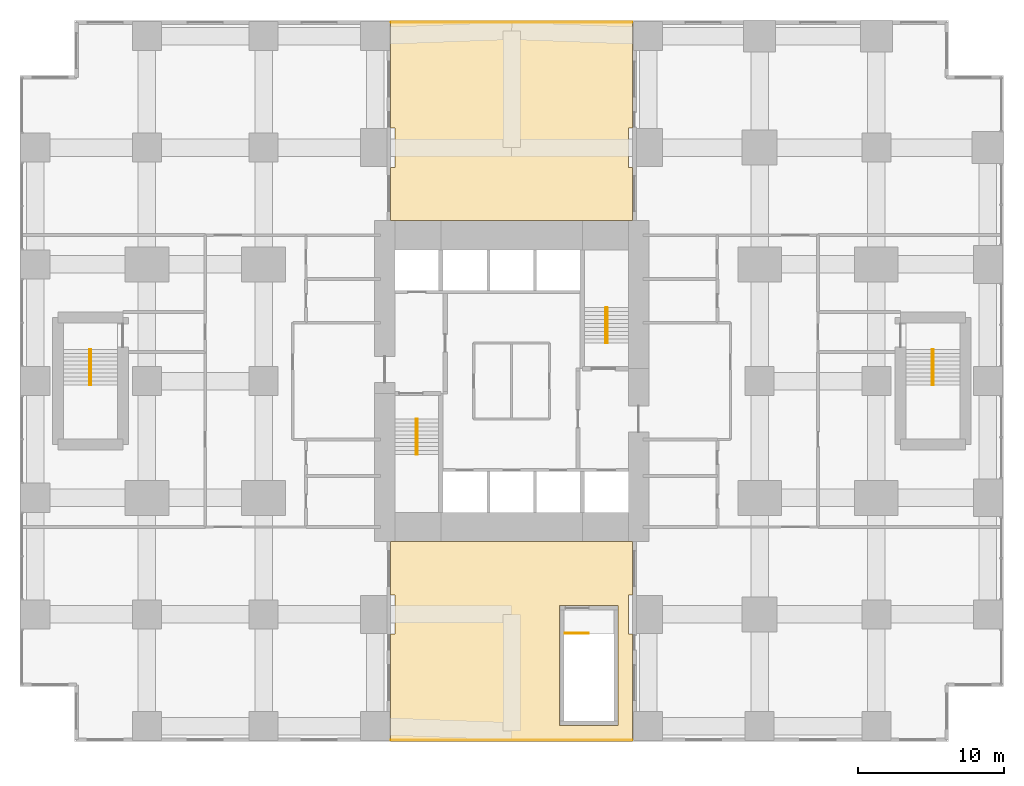
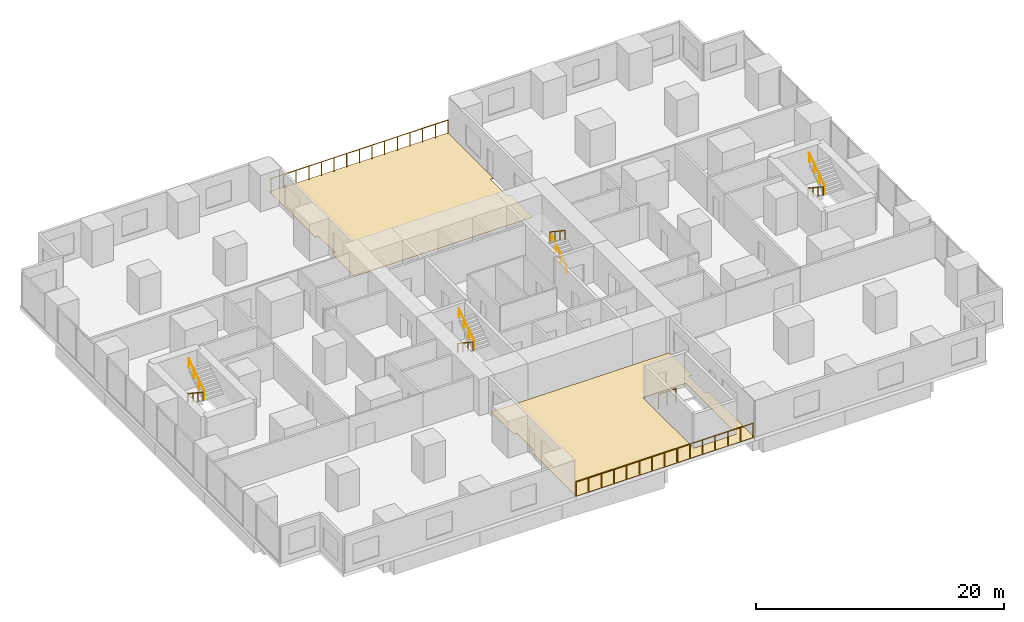
# One storey, part 15 of 15: 11 railings, 4 coverings.
"""IFC4 building model written with IfcOpenShell, lengths in metres."""

from ifc_helpers import new_model, si_unit, direction, frame, origin, origin_2d, place, context, subcontext, project, spatial, polyline, circle, outline, extrude, material, layer, layer_set, type_object, element, save


model = new_model("IFC4")

# Units and contexts
model_context = context("Model", 3, precision=1e-05, world=origin(), true_north=direction((0.0, 1.0)))
body_context = subcontext(model_context, "Body", "Model", "MODEL_VIEW")
ifc_project = project(units=[si_unit("LENGTHUNIT", "METRE"), si_unit("AREAUNIT", "SQUARE_METRE"), si_unit("VOLUMEUNIT", "CUBIC_METRE"), si_unit("PLANEANGLEUNIT", "RADIAN"), si_unit("MASSUNIT", "GRAM", prefix="KILO")], contexts=[model_context])

# Site, building, storey
site_placement = place(None, origin())
site = spatial("IfcSite", under=ifc_project, at=site_placement, CompositionType="ELEMENT")
building_placement = place(site_placement, origin())
building = spatial("IfcBuilding", under=site, at=building_placement, Name="Cleftline Residences", CompositionType="ELEMENT")
storey_placement = place(building_placement, frame((0.0, 0.0, 26.0)))
storey = spatial("IfcBuildingStorey", under=building, at=storey_placement, Name="L05", CompositionType="ELEMENT", Elevation=26.0)

# Railings
ifc_material_1 = material(Name="Stainless steel", Category="steel")
railing_type_1 = type_object("IfcRailingType", Name="HANDRAIL 900", PredefinedType="HANDRAIL", material=ifc_material_1)
railing_1_placement = place(storey_placement, frame((26.449951171875, 21.39990234375, 0.179931640625)))
element("IfcRailing", 1, at=railing_1_placement, inside=storey, type_object=railing_type_1, Name="Stair handrail", PredefinedType="HANDRAIL", context=body_context, shape_type="SweptSolid", body=[
    extrude(circle(Radius=0.02392578125, at=origin_2d()), frame((0.0, 0.0, 0.8759765625), z_axis=(0.0, -0.832024571796, 0.554738778101), x_axis=(1.0, 0.0, 0.0)), (0.0, 0.0, 1.0), 2.92041015625),
    extrude(circle(Radius=0.02099609375, at=origin_2d()), origin(), (0.0, 0.0, 1.0), 0.851806640625),
    extrude(circle(Radius=0.02099609375, at=origin_2d()), frame((0.0, -0.81005859375, 0.5400390625)), (0.0, 0.0, 1.0), 0.851806640625),
    extrude(circle(Radius=0.02099609375, at=origin_2d()), frame((0.0, -1.619873046875, 1.080078125)), (0.0, 0.0, 1.0), 0.851806640625),
    extrude(circle(Radius=0.02099609375, at=origin_2d()), frame((0.0, -2.429931640625, 1.6201171875)), (0.0, 0.0, 1.0), 0.851806640625),
])
for number, where, name in (
    (2, (26.550048828125, 18.969970703125, 1.97998046875), "Stair handrail"),
    (3, (39.550048828125, 26.60009765625, 0.179931640625), "Stair handrail"),
):
    element("IfcRailing", number, at=place(storey_placement, frame(where)), inside=storey, type_object=railing_type_1, Name=name, PredefinedType="HANDRAIL", context=body_context, shape_type="SweptSolid", body=[
        extrude(circle(Radius=0.02392578125, at=origin_2d()), frame((0.0, 0.0, 0.8759765625), z_axis=(0.0, 0.832024571796, 0.554738778101), x_axis=(-1.0, 0.0, 0.0)), (0.0, 0.0, 1.0), 2.92041015625),
        extrude(circle(Radius=0.02099609375, at=origin_2d()), origin(), (0.0, 0.0, 1.0), 0.851806640625),
        extrude(circle(Radius=0.02099609375, at=origin_2d()), frame((0.0, 0.81005859375, 0.5400390625)), (0.0, 0.0, 1.0), 0.851806640625),
        extrude(circle(Radius=0.02099609375, at=origin_2d()), frame((0.0, 1.619873046875, 1.080078125)), (0.0, 0.0, 1.0), 0.851806640625),
        extrude(circle(Radius=0.02099609375, at=origin_2d()), frame((0.0, 2.429931640625, 1.6201171875)), (0.0, 0.0, 1.0), 0.851806640625),
    ])
for number, where, name in (
    (4, (39.449951171875, 29.030029296875, 1.97998046875), "Stair handrail"),
    (5, (61.824951171875, 26.175048828125, 0.179931640625), "Stair handrail"),
):
    element("IfcRailing", number, at=place(storey_placement, frame(where)), inside=storey, type_object=railing_type_1, Name=name, PredefinedType="HANDRAIL", context=body_context, shape_type="SweptSolid", body=[
        extrude(circle(Radius=0.02392578125, at=origin_2d()), frame((0.0, 0.0, 0.8759765625), z_axis=(0.0, -0.832024571796, 0.554738778101), x_axis=(1.0, 0.0, 0.0)), (0.0, 0.0, 1.0), 2.92041015625),
        extrude(circle(Radius=0.02099609375, at=origin_2d()), origin(), (0.0, 0.0, 1.0), 0.851806640625),
        extrude(circle(Radius=0.02099609375, at=origin_2d()), frame((0.0, -0.81005859375, 0.5400390625)), (0.0, 0.0, 1.0), 0.851806640625),
        extrude(circle(Radius=0.02099609375, at=origin_2d()), frame((0.0, -1.619873046875, 1.080078125)), (0.0, 0.0, 1.0), 0.851806640625),
        extrude(circle(Radius=0.02099609375, at=origin_2d()), frame((0.0, -2.429931640625, 1.6201171875)), (0.0, 0.0, 1.0), 0.851806640625),
    ])
railing_2_placement = place(storey_placement, frame((61.925048828125, 23.7451171875, 1.97998046875)))
element("IfcRailing", 6, at=railing_2_placement, inside=storey, type_object=railing_type_1, Name="Stair handrail", PredefinedType="HANDRAIL", context=body_context, shape_type="SweptSolid", body=[
    extrude(circle(Radius=0.02392578125, at=origin_2d()), frame((0.0, 0.0, 0.8759765625), z_axis=(0.0, 0.832024571796, 0.554738778101), x_axis=(-1.0, 0.0, 0.0)), (0.0, 0.0, 1.0), 2.92041015625),
    extrude(circle(Radius=0.02099609375, at=origin_2d()), origin(), (0.0, 0.0, 1.0), 0.851806640625),
    extrude(circle(Radius=0.02099609375, at=origin_2d()), frame((0.0, 0.81005859375, 0.5400390625)), (0.0, 0.0, 1.0), 0.851806640625),
    extrude(circle(Radius=0.02099609375, at=origin_2d()), frame((0.0, 1.619873046875, 1.080078125)), (0.0, 0.0, 1.0), 0.851806640625),
    extrude(circle(Radius=0.02099609375, at=origin_2d()), frame((0.0, 2.429931640625, 1.6201171875)), (0.0, 0.0, 1.0), 0.851806640625),
])
railing_3_placement = place(storey_placement, frame((4.074951171875, 26.175048828125, 0.179931640625)))
element("IfcRailing", 7, at=railing_3_placement, inside=storey, type_object=railing_type_1, Name="Stair handrail", PredefinedType="HANDRAIL", context=body_context, shape_type="SweptSolid", body=[
    extrude(circle(Radius=0.02392578125, at=origin_2d()), frame((0.0, 0.0, 0.8759765625), z_axis=(0.0, -0.832024571796, 0.554738778101), x_axis=(1.0, 0.0, 0.0)), (0.0, 0.0, 1.0), 2.92041015625),
    extrude(circle(Radius=0.02099609375, at=origin_2d()), origin(), (0.0, 0.0, 1.0), 0.851806640625),
    extrude(circle(Radius=0.02099609375, at=origin_2d()), frame((0.0, -0.81005859375, 0.5400390625)), (0.0, 0.0, 1.0), 0.851806640625),
    extrude(circle(Radius=0.02099609375, at=origin_2d()), frame((0.0, -1.619873046875, 1.080078125)), (0.0, 0.0, 1.0), 0.851806640625),
    extrude(circle(Radius=0.02099609375, at=origin_2d()), frame((0.0, -2.429931640625, 1.6201171875)), (0.0, 0.0, 1.0), 0.851806640625),
])
railing_4_placement = place(storey_placement, frame((4.175048828125, 23.7451171875, 1.97998046875)))
element("IfcRailing", 8, at=railing_4_placement, inside=storey, type_object=railing_type_1, Name="Stair handrail", PredefinedType="HANDRAIL", context=body_context, shape_type="SweptSolid", body=[
    extrude(circle(Radius=0.02392578125, at=origin_2d()), frame((0.0, 0.0, 0.8759765625), z_axis=(0.0, 0.832024571796, 0.554738778101), x_axis=(-1.0, 0.0, 0.0)), (0.0, 0.0, 1.0), 2.92041015625),
    extrude(circle(Radius=0.02099609375, at=origin_2d()), origin(), (0.0, 0.0, 1.0), 0.851806640625),
    extrude(circle(Radius=0.02099609375, at=origin_2d()), frame((0.0, 0.81005859375, 0.5400390625)), (0.0, 0.0, 1.0), 0.851806640625),
    extrude(circle(Radius=0.02099609375, at=origin_2d()), frame((0.0, 1.619873046875, 1.080078125)), (0.0, 0.0, 1.0), 0.851806640625),
    extrude(circle(Radius=0.02099609375, at=origin_2d()), frame((0.0, 2.429931640625, 1.6201171875)), (0.0, 0.0, 1.0), 0.851806640625),
])
ifc_material_2 = material(Name="Stainless steel and laminated glass", Category="steel")
railing_type_2 = type_object("IfcRailingType", Name="TERRACE GUARD 1400", PredefinedType="GUARDRAIL", material=ifc_material_2)
railing_5_placement = place(storey_placement, frame((41.25, -0.60009765625, 0.0)))
element("IfcRailing", 9, at=railing_5_placement, inside=storey, type_object=railing_type_2, Name="Terrace guard", PredefinedType="GUARDRAIL", context=body_context, shape_type="SweptSolid", body=[
    extrude(circle(Radius=0.02392578125, at=origin_2d()), frame((0.0, 0.0, 1.3759765625), z_axis=(-1.0, 0.0, 0.0), x_axis=(0.0, -1.0, 0.0)), (0.0, 0.0, 1.0), 16.5),
    extrude(circle(Radius=0.02099609375, at=origin_2d()), origin(), (0.0, 0.0, 1.0), 1.351806640625),
    extrude(circle(Radius=0.02099609375, at=origin_2d()), frame((-1.178466796875, 0.0, 0.0)), (0.0, 0.0, 1.0), 1.351806640625),
    extrude(circle(Radius=0.02099609375, at=origin_2d()), frame((-2.357177734375, 0.0, 0.0)), (0.0, 0.0, 1.0), 1.351806640625),
    extrude(circle(Radius=0.02099609375, at=origin_2d()), frame((-3.53564453125, 0.0, 0.0)), (0.0, 0.0, 1.0), 1.351806640625),
    extrude(circle(Radius=0.02099609375, at=origin_2d()), frame((-4.71435546875, 0.0, 0.0)), (0.0, 0.0, 1.0), 1.351806640625),
    extrude(circle(Radius=0.02099609375, at=origin_2d()), frame((-5.892822265625, 0.0, 0.0)), (0.0, 0.0, 1.0), 1.351806640625),
    extrude(circle(Radius=0.02099609375, at=origin_2d()), frame((-7.071533203125, 0.0, 0.0)), (0.0, 0.0, 1.0), 1.351806640625),
    extrude(circle(Radius=0.02099609375, at=origin_2d()), frame((-8.25, 0.0, 0.0)), (0.0, 0.0, 1.0), 1.351806640625),
    extrude(circle(Radius=0.02099609375, at=origin_2d()), frame((-9.428466796875, 0.0, 0.0)), (0.0, 0.0, 1.0), 1.351806640625),
    extrude(circle(Radius=0.02099609375, at=origin_2d()), frame((-10.607177734375, 0.0, 0.0)), (0.0, 0.0, 1.0), 1.351806640625),
    extrude(circle(Radius=0.02099609375, at=origin_2d()), frame((-11.78564453125, 0.0, 0.0)), (0.0, 0.0, 1.0), 1.351806640625),
    extrude(circle(Radius=0.02099609375, at=origin_2d()), frame((-12.96435546875, 0.0, 0.0)), (0.0, 0.0, 1.0), 1.351806640625),
    extrude(circle(Radius=0.02099609375, at=origin_2d()), frame((-14.142822265625, 0.0, 0.0)), (0.0, 0.0, 1.0), 1.351806640625),
    extrude(circle(Radius=0.02099609375, at=origin_2d()), frame((-15.321533203125, 0.0, 0.0)), (0.0, 0.0, 1.0), 1.351806640625),
    extrude(circle(Radius=0.02099609375, at=origin_2d()), frame((-16.5, 0.0, 0.0)), (0.0, 0.0, 1.0), 1.351806640625),
])
railing_6_placement = place(storey_placement, frame((24.75, 48.60009765625, 0.0)))
element("IfcRailing", 10, at=railing_6_placement, inside=storey, type_object=railing_type_2, Name="Terrace guard", PredefinedType="GUARDRAIL", context=body_context, shape_type="SweptSolid", body=[
    extrude(circle(Radius=0.02392578125, at=origin_2d()), frame((0.0, 0.0, 1.3759765625), z_axis=(1.0, 0.0, 0.0), x_axis=(0.0, 1.0, 0.0)), (0.0, 0.0, 1.0), 16.5),
    extrude(circle(Radius=0.02099609375, at=origin_2d()), origin(), (0.0, 0.0, 1.0), 1.351806640625),
    extrude(circle(Radius=0.02099609375, at=origin_2d()), frame((1.178466796875, 0.0, 0.0)), (0.0, 0.0, 1.0), 1.351806640625),
    extrude(circle(Radius=0.02099609375, at=origin_2d()), frame((2.357177734375, 0.0, 0.0)), (0.0, 0.0, 1.0), 1.351806640625),
    extrude(circle(Radius=0.02099609375, at=origin_2d()), frame((3.53564453125, 0.0, 0.0)), (0.0, 0.0, 1.0), 1.351806640625),
    extrude(circle(Radius=0.02099609375, at=origin_2d()), frame((4.71435546875, 0.0, 0.0)), (0.0, 0.0, 1.0), 1.351806640625),
    extrude(circle(Radius=0.02099609375, at=origin_2d()), frame((5.892822265625, 0.0, 0.0)), (0.0, 0.0, 1.0), 1.351806640625),
    extrude(circle(Radius=0.02099609375, at=origin_2d()), frame((7.071533203125, 0.0, 0.0)), (0.0, 0.0, 1.0), 1.351806640625),
    extrude(circle(Radius=0.02099609375, at=origin_2d()), frame((8.25, 0.0, 0.0)), (0.0, 0.0, 1.0), 1.351806640625),
    extrude(circle(Radius=0.02099609375, at=origin_2d()), frame((9.428466796875, 0.0, 0.0)), (0.0, 0.0, 1.0), 1.351806640625),
    extrude(circle(Radius=0.02099609375, at=origin_2d()), frame((10.607177734375, 0.0, 0.0)), (0.0, 0.0, 1.0), 1.351806640625),
    extrude(circle(Radius=0.02099609375, at=origin_2d()), frame((11.78564453125, 0.0, 0.0)), (0.0, 0.0, 1.0), 1.351806640625),
    extrude(circle(Radius=0.02099609375, at=origin_2d()), frame((12.96435546875, 0.0, 0.0)), (0.0, 0.0, 1.0), 1.351806640625),
    extrude(circle(Radius=0.02099609375, at=origin_2d()), frame((14.142822265625, 0.0, 0.0)), (0.0, 0.0, 1.0), 1.351806640625),
    extrude(circle(Radius=0.02099609375, at=origin_2d()), frame((15.321533203125, 0.0, 0.0)), (0.0, 0.0, 1.0), 1.351806640625),
    extrude(circle(Radius=0.02099609375, at=origin_2d()), frame((16.5, 0.0, 0.0)), (0.0, 0.0, 1.0), 1.351806640625),
])
railing_7_placement = place(storey_placement, frame((36.64990234375, 6.719970703125, 0.0)))
element("IfcRailing", 11, at=railing_7_placement, inside=storey, type_object=railing_type_2, Name="Stair well guard", PredefinedType="GUARDRAIL", context=body_context, shape_type="SweptSolid", body=[
    extrude(circle(Radius=0.02392578125, at=origin_2d()), frame((0.0, 0.0, 1.3759765625), z_axis=(1.0, 0.0, 0.0), x_axis=(0.0, 1.0, 0.0)), (0.0, 0.0, 1.0), 1.630126953125),
    extrude(circle(Radius=0.02099609375, at=origin_2d()), origin(), (0.0, 0.0, 1.0), 1.351806640625),
    extrude(circle(Radius=0.02099609375, at=origin_2d()), frame((0.81494140625, 0.0, 0.0)), (0.0, 0.0, 1.0), 1.351806640625),
    extrude(circle(Radius=0.02099609375, at=origin_2d()), frame((1.630126953125, 0.0, 0.0)), (0.0, 0.0, 1.0), 1.351806640625),
])

# Coverings
ifc_material_3 = material(Name="Porcelain paving on adhesive bed")
ifc_layer_1 = layer(ifc_material_3, 0.0400390625)
ifc_layer_set_1 = layer_set([ifc_layer_1], Name="TERRACE PAVING 40")
covering_type_1 = type_object("IfcCoveringType", Name="TERRACE PAVING 40", PredefinedType="FLOORING", material=ifc_layer_set_1)
covering_1_placement = place(storey_placement, frame((0.0, 0.0, 0.0048828125)))
element("IfcCovering", 12, at=covering_1_placement, inside=storey, type_object=covering_type_1, Name="Terrace paving L05 1", PredefinedType="FLOORING", context=body_context, shape_type="SweptSolid", body=[
    extrude(outline(polyline([(41.2900390625, -0.699951171875), (41.291015625, -0.699951171875), (41.2919921875, -0.69970703125), (41.29296875, -0.69970703125), (41.293701171875, -0.69921875), (41.294677734375, -0.69873046875), (41.295654296875, -0.6982421875), (41.29638671875, -0.69775390625), (41.297119140625, -0.697021484375), (41.297607421875, -0.6962890625), (41.29833984375, -0.695556640625), (41.298828125, -0.694580078125), (41.29931640625, -0.69384765625), (41.299560546875, -0.69287109375), (41.2998046875, -0.69189453125), (41.300048828125, -0.69091796875), (41.300048828125, -0.68994140625), (41.300048828125, -0.580078125), (41.294921875, -0.580078125), (41.294921875, 6.64990234375), (41.0, 6.64990234375), (41.0, 9.35009765625), (41.294921875, 9.35009765625), (41.294921875, 12.9951171875), (41.0048828125, 12.9951171875), (40.9951171875, 12.9951171875), (37.85498046875, 12.9951171875), (37.844970703125, 12.9951171875), (28.155029296875, 12.9951171875), (28.14501953125, 12.9951171875), (25.0048828125, 12.9951171875), (24.9951171875, 12.9951171875), (24.705078125, 12.9951171875), (24.705078125, 9.35009765625), (25.0, 9.35009765625), (25.0, 6.64990234375), (24.705078125, 6.64990234375), (24.705078125, -0.580078125), (24.699951171875, -0.580078125), (24.699951171875, -0.68994140625), (24.699951171875, -0.69091796875), (24.7001953125, -0.69189453125), (24.700439453125, -0.69287109375), (24.70068359375, -0.69384765625), (24.701171875, -0.694580078125), (24.70166015625, -0.695556640625), (24.702392578125, -0.6962890625), (24.702880859375, -0.697021484375), (24.70361328125, -0.69775390625), (24.704345703125, -0.6982421875), (24.705322265625, -0.69873046875), (24.706298828125, -0.69921875), (24.70703125, -0.69970703125), (24.7080078125, -0.69970703125), (24.708984375, -0.699951171875), (24.7099609375, -0.699951171875), (41.2900390625, -0.699951171875)]), holes=[polyline([(36.294921875, 8.294921875), (36.294921875, 0.705078125), (36.294921875, 0.705078125), (36.294921875, 0.39501953125), (40.304931640625, 0.39501953125), (40.304931640625, 0.695068359375), (40.304931640625, 0.705078125), (40.304931640625, 8.294921875), (40.304931640625, 8.304931640625), (40.304931640625, 8.60498046875), (36.294921875, 8.60498046875), (36.294921875, 8.294921875), (36.294921875, 8.294921875)])]), origin(), (0.0, 0.0, 1.0), 0.0400390625),
])
covering_2_placement = place(storey_placement, frame((0.0, 0.0, 0.0048828125)))
element("IfcCovering", 13, at=covering_2_placement, inside=storey, type_object=covering_type_1, Name="Terrace paving L05 2", PredefinedType="FLOORING", context=body_context, shape_type="SweptSolid", body=[
    extrude(outline(polyline([(24.7099609375, 48.699951171875), (24.708984375, 48.699951171875), (24.7080078125, 48.69970703125), (24.70703125, 48.69970703125), (24.706298828125, 48.69921875), (24.705322265625, 48.69873046875), (24.704345703125, 48.6982421875), (24.70361328125, 48.69775390625), (24.702880859375, 48.697021484375), (24.702392578125, 48.6962890625), (24.70166015625, 48.695556640625), (24.701171875, 48.694580078125), (24.70068359375, 48.69384765625), (24.700439453125, 48.69287109375), (24.7001953125, 48.69189453125), (24.699951171875, 48.69091796875), (24.699951171875, 48.68994140625), (24.699951171875, 48.580078125), (24.705078125, 48.580078125), (24.705078125, 41.35009765625), (25.0, 41.35009765625), (25.0, 38.64990234375), (24.705078125, 38.64990234375), (24.705078125, 35.0048828125), (24.9951171875, 35.0048828125), (25.0048828125, 35.0048828125), (28.14501953125, 35.0048828125), (28.155029296875, 35.0048828125), (37.844970703125, 35.0048828125), (37.85498046875, 35.0048828125), (40.9951171875, 35.0048828125), (41.0048828125, 35.0048828125), (41.294921875, 35.0048828125), (41.294921875, 38.64990234375), (41.0, 38.64990234375), (41.0, 41.35009765625), (41.294921875, 41.35009765625), (41.294921875, 48.580078125), (41.300048828125, 48.580078125), (41.300048828125, 48.68994140625), (41.300048828125, 48.69091796875), (41.2998046875, 48.69189453125), (41.299560546875, 48.69287109375), (41.29931640625, 48.69384765625), (41.298828125, 48.694580078125), (41.29833984375, 48.695556640625), (41.297607421875, 48.6962890625), (41.297119140625, 48.697021484375), (41.29638671875, 48.69775390625), (41.295654296875, 48.6982421875), (41.294677734375, 48.69873046875), (41.293701171875, 48.69921875), (41.29296875, 48.69970703125), (41.2919921875, 48.69970703125), (41.291015625, 48.699951171875), (41.2900390625, 48.699951171875), (24.7099609375, 48.699951171875)])), origin(), (0.0, 0.0, 1.0), 0.0400390625),
])
ifc_material_4 = material(Name="Liquid-applied polyurethane waterproofing")
ifc_layer_2 = layer(ifc_material_4, 0.0048828125)
ifc_layer_set_2 = layer_set([ifc_layer_2], Name="TERRACE WATERPROOFING 5")
covering_type_2 = type_object("IfcCoveringType", Name="TERRACE WATERPROOFING 5", PredefinedType="ROOFING", material=ifc_layer_set_2)
covering_3_placement = place(storey_placement, origin())
element("IfcCovering", 14, at=covering_3_placement, inside=storey, type_object=covering_type_2, Name="Terrace waterproofing L05 1", PredefinedType="ROOFING", context=body_context, shape_type="SweptSolid", body=[
    extrude(outline(polyline([(41.2900390625, -0.699951171875), (41.291015625, -0.699951171875), (41.2919921875, -0.69970703125), (41.29296875, -0.69970703125), (41.293701171875, -0.69921875), (41.294677734375, -0.69873046875), (41.295654296875, -0.6982421875), (41.29638671875, -0.69775390625), (41.297119140625, -0.697021484375), (41.297607421875, -0.6962890625), (41.29833984375, -0.695556640625), (41.298828125, -0.694580078125), (41.29931640625, -0.69384765625), (41.299560546875, -0.69287109375), (41.2998046875, -0.69189453125), (41.300048828125, -0.69091796875), (41.300048828125, -0.68994140625), (41.300048828125, -0.580078125), (41.294921875, -0.580078125), (41.294921875, 6.64990234375), (41.0, 6.64990234375), (41.0, 9.35009765625), (41.294921875, 9.35009765625), (41.294921875, 12.9951171875), (41.0048828125, 12.9951171875), (40.9951171875, 12.9951171875), (37.85498046875, 12.9951171875), (37.844970703125, 12.9951171875), (28.155029296875, 12.9951171875), (28.14501953125, 12.9951171875), (25.0048828125, 12.9951171875), (24.9951171875, 12.9951171875), (24.705078125, 12.9951171875), (24.705078125, 9.35009765625), (25.0, 9.35009765625), (25.0, 6.64990234375), (24.705078125, 6.64990234375), (24.705078125, -0.580078125), (24.699951171875, -0.580078125), (24.699951171875, -0.68994140625), (24.699951171875, -0.69091796875), (24.7001953125, -0.69189453125), (24.700439453125, -0.69287109375), (24.70068359375, -0.69384765625), (24.701171875, -0.694580078125), (24.70166015625, -0.695556640625), (24.702392578125, -0.6962890625), (24.702880859375, -0.697021484375), (24.70361328125, -0.69775390625), (24.704345703125, -0.6982421875), (24.705322265625, -0.69873046875), (24.706298828125, -0.69921875), (24.70703125, -0.69970703125), (24.7080078125, -0.69970703125), (24.708984375, -0.699951171875), (24.7099609375, -0.699951171875), (41.2900390625, -0.699951171875)]), holes=[polyline([(36.294921875, 8.294921875), (36.294921875, 0.705078125), (36.294921875, 0.705078125), (36.294921875, 0.39501953125), (40.304931640625, 0.39501953125), (40.304931640625, 0.695068359375), (40.304931640625, 0.705078125), (40.304931640625, 8.294921875), (40.304931640625, 8.304931640625), (40.304931640625, 8.60498046875), (36.294921875, 8.60498046875), (36.294921875, 8.294921875), (36.294921875, 8.294921875)])]), origin(), (0.0, 0.0, 1.0), 0.0048828125),
])
covering_4_placement = place(storey_placement, origin())
element("IfcCovering", 15, at=covering_4_placement, inside=storey, type_object=covering_type_2, Name="Terrace waterproofing L05 2", PredefinedType="ROOFING", context=body_context, shape_type="SweptSolid", body=[
    extrude(outline(polyline([(24.7099609375, 48.699951171875), (24.708984375, 48.699951171875), (24.7080078125, 48.69970703125), (24.70703125, 48.69970703125), (24.706298828125, 48.69921875), (24.705322265625, 48.69873046875), (24.704345703125, 48.6982421875), (24.70361328125, 48.69775390625), (24.702880859375, 48.697021484375), (24.702392578125, 48.6962890625), (24.70166015625, 48.695556640625), (24.701171875, 48.694580078125), (24.70068359375, 48.69384765625), (24.700439453125, 48.69287109375), (24.7001953125, 48.69189453125), (24.699951171875, 48.69091796875), (24.699951171875, 48.68994140625), (24.699951171875, 48.580078125), (24.705078125, 48.580078125), (24.705078125, 41.35009765625), (25.0, 41.35009765625), (25.0, 38.64990234375), (24.705078125, 38.64990234375), (24.705078125, 35.0048828125), (24.9951171875, 35.0048828125), (25.0048828125, 35.0048828125), (28.14501953125, 35.0048828125), (28.155029296875, 35.0048828125), (37.844970703125, 35.0048828125), (37.85498046875, 35.0048828125), (40.9951171875, 35.0048828125), (41.0048828125, 35.0048828125), (41.294921875, 35.0048828125), (41.294921875, 38.64990234375), (41.0, 38.64990234375), (41.0, 41.35009765625), (41.294921875, 41.35009765625), (41.294921875, 48.580078125), (41.300048828125, 48.580078125), (41.300048828125, 48.68994140625), (41.300048828125, 48.69091796875), (41.2998046875, 48.69189453125), (41.299560546875, 48.69287109375), (41.29931640625, 48.69384765625), (41.298828125, 48.694580078125), (41.29833984375, 48.695556640625), (41.297607421875, 48.6962890625), (41.297119140625, 48.697021484375), (41.29638671875, 48.69775390625), (41.295654296875, 48.6982421875), (41.294677734375, 48.69873046875), (41.293701171875, 48.69921875), (41.29296875, 48.69970703125), (41.2919921875, 48.69970703125), (41.291015625, 48.699951171875), (41.2900390625, 48.699951171875), (24.7099609375, 48.699951171875)])), origin(), (0.0, 0.0, 1.0), 0.0048828125),
])

save(model, "model.ifc")
